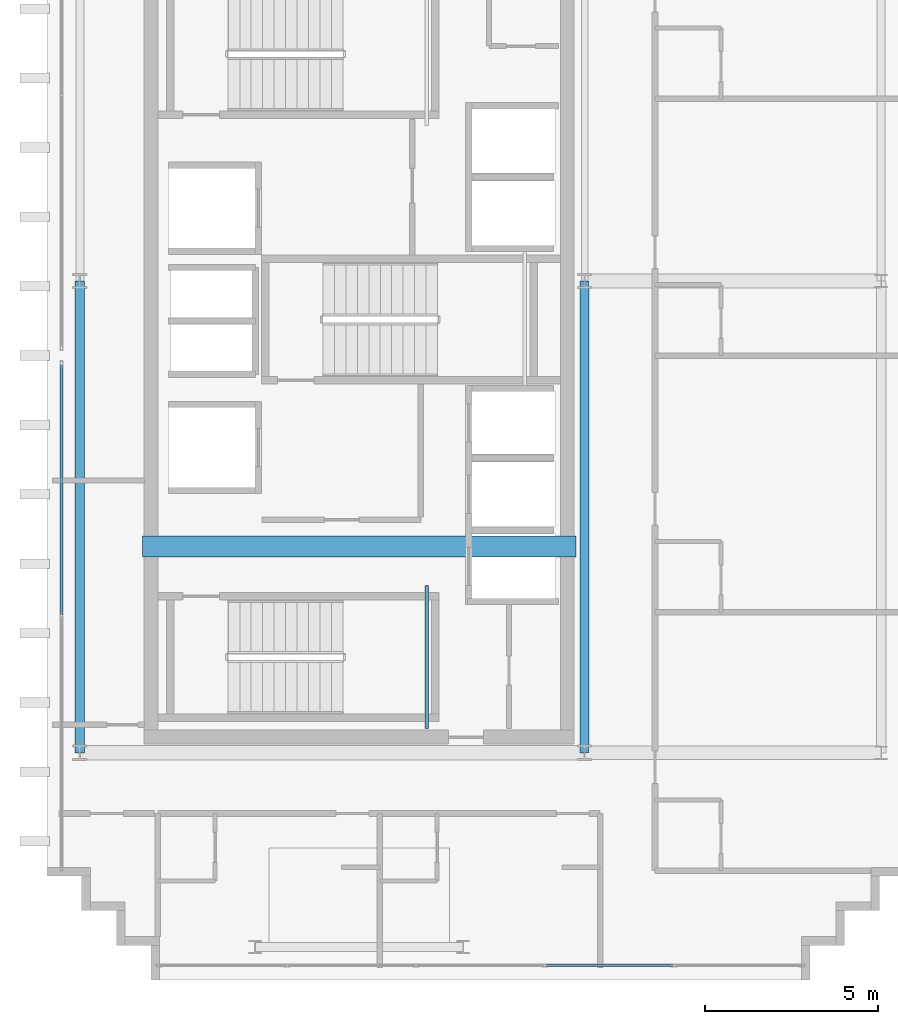
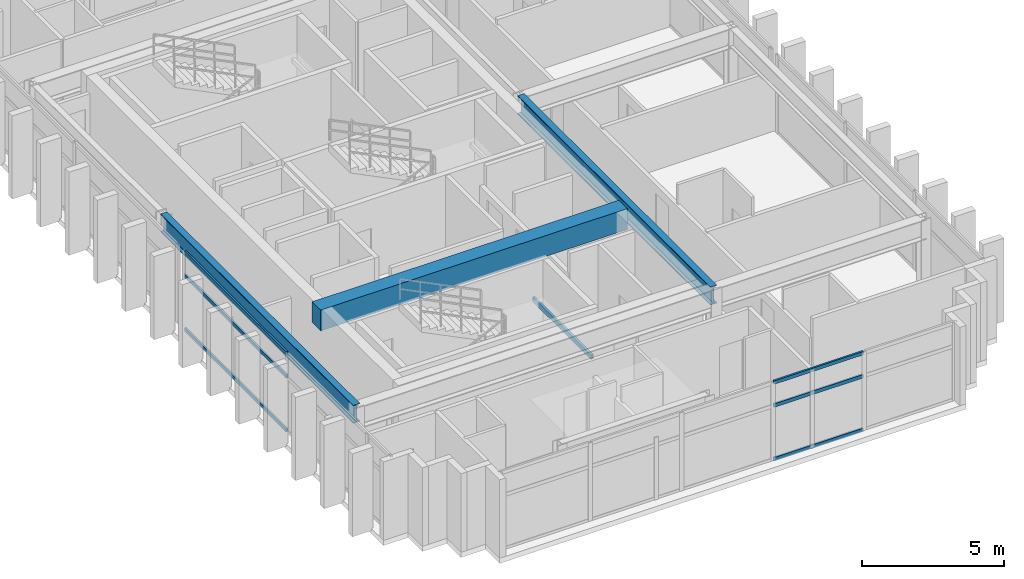
# One storey, part 3 of 15: 6 members, 4 beams, 2 elements without a shape of their own.
"""IFC4 building model written with IfcOpenShell, lengths in metres."""

from ifc_helpers import new_model, si_unit, direction, frame, origin, origin_2d, place, context, subcontext, project, spatial, rectangle, hollow_rectangle, i_section, extrude, source, transform, mapped, material, layer, layer_set, material_profile, profile_set, type_object, element, aggregate, save


model = new_model("IFC4")

# Units and contexts
model_context = context("Model", 3, precision=1e-05, world=origin(), true_north=direction((0.0, 1.0)))
body_context = subcontext(model_context, "Body", "Model", "MODEL_VIEW")
ifc_project = project(units=[si_unit("LENGTHUNIT", "METRE"), si_unit("AREAUNIT", "SQUARE_METRE"), si_unit("VOLUMEUNIT", "CUBIC_METRE"), si_unit("PLANEANGLEUNIT", "RADIAN"), si_unit("MASSUNIT", "GRAM", prefix="KILO")], contexts=[model_context])

# Site, building, storey
site_placement = place(None, origin())
site = spatial("IfcSite", under=ifc_project, at=site_placement, CompositionType="ELEMENT")
building_placement = place(site_placement, origin())
building = spatial("IfcBuilding", under=site, at=building_placement, Name="Ocotamira Hotel", CompositionType="ELEMENT")
storey_placement = place(building_placement, frame((0.0, 0.0, 286.800048828125)))
storey = spatial("IfcBuildingStorey", under=building, at=storey_placement, Name="L73", CompositionType="ELEMENT", Elevation=286.800048828125)

# Beams
ifc_material_1 = material(Name="Concrete C50/60", Category="concrete")
ifc_material_profile_1 = material_profile(ifc_material_1, rectangle(XDim=0.60009765625, YDim=0.89990234375, at=origin_2d()), Name="RC600X900")
ifc_profile_set_1 = profile_set([ifc_material_profile_1], Name="Concrete C50/60")
beam_type_1 = type_object("IfcBeamType", Name="BM-LINK-RC600", PredefinedType="LINTEL", material=ifc_profile_set_1)
shared_shape_1 = source(origin(), body_context, "Body", "SweptSolid", [
    extrude(rectangle(XDim=0.60009765625, YDim=0.89990234375, at=origin_2d()), origin(), (0.0, 0.0, 1.0), 12.5),
])
beam_1_placement = place(storey_placement, frame((10.75, 20.5, 2.929931640625), z_axis=(1.0, 0.0, 0.0), x_axis=(0.0, 1.0, 0.0)))
element("IfcBeam", 1, at=beam_1_placement, inside=storey, type_object=beam_type_1, Name="L73 West Core Coupling Beam", PredefinedType="LINTEL", context=body_context, shape_type="MappedRepresentation", body=[
    mapped(shared_shape_1, transform((0.0, 0.0, 0.0), scale=1.0)),
])
ifc_material_2 = material(Name="Steel ASTM A500 Grade C", Category="steel")
ifc_material_profile_2 = material_profile(ifc_material_2, hollow_rectangle(XDim=0.10009765625, YDim=0.199951171875, WallThickness=0.008056640625, at=origin_2d()), Name="HSS200X100X8")
ifc_profile_set_2 = profile_set([ifc_material_profile_2], Name="Steel ASTM A500 Grade C")
beam_type_2 = type_object("IfcBeamType", Name="BM-STLDG-HSS200", PredefinedType="BEAM", material=ifc_profile_set_2)
shared_shape_2 = source(origin(), body_context, "Body", "SweptSolid", [
    extrude(hollow_rectangle(XDim=0.10009765625, YDim=0.199951171875, WallThickness=0.008056640625, at=origin_2d()), origin(), (0.0, 0.0, 1.0), 4.1201171875),
])
beam_2_placement = place(storey_placement, frame((18.949951171875, 15.25, 1.5), z_axis=(0.0, 1.0, 0.0), x_axis=(-1.0, 0.0, 0.0)))
element("IfcBeam", 2, at=beam_2_placement, inside=storey, type_object=beam_type_2, Name="L73 Stair ST-1 Landing Bearer 1", PredefinedType="BEAM", context=body_context, shape_type="MappedRepresentation", body=[
    mapped(shared_shape_2, transform((0.0, 0.0, 0.0), scale=1.0)),
])
ifc_material_3 = material(Name="Steel ASTM A992 Grade 50", Category="steel")
ifc_material_profile_3 = material_profile(ifc_material_3, i_section(OverallWidth=0.26611328125, OverallDepth=0.779052734375, WebThickness=0.0166015625, FlangeThickness=0.030029296875, FilletRadius=0.01806640625, at=origin_2d()), Name="W30X148")
ifc_profile_set_3 = profile_set([ifc_material_profile_3], Name="Steel ASTM A992 Grade 50")
beam_type_3 = type_object("IfcBeamType", Name="BM-GIRD-W30X148", PredefinedType="BEAM", material=ifc_profile_set_3)
shared_shape_3 = source(origin(), body_context, "Body", "SweptSolid", [
    extrude(i_section(OverallWidth=0.26611328125, OverallDepth=0.779052734375, WebThickness=0.0166015625, FlangeThickness=0.030029296875, FilletRadius=0.01806640625, at=origin_2d()), origin(), (0.0, 0.0, 1.0), 13.599853515625),
])
for number, where, z_axis, x_axis, name in (
    (3, (8.949951171875, 14.550048828125, 2.990478515625), (0.0, 1.0, 0.0), (-1.0, 0.0, 0.0), "L73 Beam X8.95 Y14.55-28.15"),
    (4, (23.5, 14.550048828125, 2.990478515625), (0.0, 1.0, 0.0), (-1.0, 0.0, 0.0), "L73 Beam X23.5 Y14.55-28.15"),
):
    element("IfcBeam", number, at=place(storey_placement, frame(where, z_axis=z_axis, x_axis=x_axis)), inside=storey, type_object=beam_type_3, Name=name, PredefinedType="BEAM", context=body_context, shape_type="MappedRepresentation", body=[
        mapped(shared_shape_3, transform((0.0, 0.0, 0.0), scale=1.0)),
    ])

# Curtain wall, members
ifc_material_4 = material(Name="Anodised pale-metal aluminium and solar glass", Category="aluminium")
ifc_layer = layer(ifc_material_4, 0.2099609375)
ifc_layer_set = layer_set([ifc_layer], Name="Anodised pale-metal aluminium and solar glass")
curtain_wall_type = type_object("IfcCurtainWallType", Name="CW-SYS7-PEAK", PredefinedType="NOTDEFINED", material=ifc_layer_set)
curtain_wall_1_placement = place(storey_placement, origin())
curtain_wall_1 = element("IfcCurtainWall", 5, at=curtain_wall_1_placement, inside=storey, type_object=curtain_wall_type, Name="L73 Curtain Wall CW-7 CW-L73-W1", PredefinedType="NOTDEFINED")
ifc_material_5 = material(Name="Anodised pale-metal aluminium 6063-T6", Category="aluminium")
ifc_material_profile_4 = material_profile(ifc_material_5, hollow_rectangle(XDim=0.074951171875, YDim=0.14990234375, WallThickness=0.006103515625, at=origin_2d()), Name="HSS150X75X6")
ifc_profile_set_4 = profile_set([ifc_material_profile_4], Name="Anodised pale-metal aluminium 6063-T6")
member_type = type_object("IfcMemberType", Name="CWT-150X75", PredefinedType="USERDEFINED", material=ifc_profile_set_4)
shared_shape_4 = source(origin(), body_context, "Body", "SweptSolid", [
    extrude(hollow_rectangle(XDim=0.074951171875, YDim=0.14990234375, WallThickness=0.006103515625, at=origin_2d()), origin(), (0.0, 0.0, 1.0), 7.179931640625),
])
member_1_placement = place(storey_placement, frame((8.419921875, 18.5400390625, 0.037353515625), z_axis=(0.0, 1.0, 0.0), x_axis=(-1.0, 0.0, 0.0)))
member_1 = element("IfcMember", 6, at=member_1_placement, type_object=member_type, Name="CW-7 transom 2.1", ObjectType="TRANSOM", PredefinedType="USERDEFINED", context=body_context, shape_type="MappedRepresentation", body=[
    mapped(shared_shape_4, transform((0.0, 0.0, 0.0), scale=1.0)),
])
member_2_placement = place(storey_placement, frame((8.419921875, 18.5400390625, 2.349853515625), z_axis=(0.0, 1.0, 0.0), x_axis=(-1.0, 0.0, 0.0)))
member_2 = element("IfcMember", 7, at=member_2_placement, type_object=member_type, Name="CW-7 transom 2.2", ObjectType="TRANSOM", PredefinedType="USERDEFINED", context=body_context, shape_type="MappedRepresentation", body=[
    mapped(shared_shape_4, transform((0.0, 0.0, 0.0), scale=1.0)),
])
member_3_placement = place(storey_placement, frame((8.419921875, 18.5400390625, 3.342529296875), z_axis=(0.0, 1.0, 0.0), x_axis=(-1.0, 0.0, 0.0)))
member_3 = element("IfcMember", 8, at=member_3_placement, type_object=member_type, Name="CW-7 transom 2.3", ObjectType="TRANSOM", PredefinedType="USERDEFINED", context=body_context, shape_type="MappedRepresentation", body=[
    mapped(shared_shape_4, transform((0.0, 0.0, 0.0), scale=1.0)),
])
aggregate(curtain_wall_1, [member_1, member_2, member_3])

curtain_wall_2_placement = place(storey_placement, origin())
curtain_wall_2 = element("IfcCurtainWall", 9, at=curtain_wall_2_placement, inside=storey, type_object=curtain_wall_type, Name="L73 Curtain Wall CW-7 CW-L73-S1", PredefinedType="NOTDEFINED")
shared_shape_5 = source(origin(), body_context, "Body", "SweptSolid", [
    extrude(hollow_rectangle(XDim=0.074951171875, YDim=0.14990234375, WallThickness=0.006103515625, at=origin_2d()), origin(), (0.0, 0.0, 1.0), 3.64013671875),
])
member_4_placement = place(storey_placement, frame((22.39990234375, 8.419921875, 0.037353515625), z_axis=(1.0, 0.0, 0.0), x_axis=(0.0, 1.0, 0.0)))
member_4 = element("IfcMember", 10, at=member_4_placement, type_object=member_type, Name="CW-7 transom 4.1", ObjectType="TRANSOM", PredefinedType="USERDEFINED", context=body_context, shape_type="MappedRepresentation", body=[
    mapped(shared_shape_5, transform((0.0, 0.0, 0.0), scale=1.0)),
])
member_5_placement = place(storey_placement, frame((22.39990234375, 8.419921875, 2.349853515625), z_axis=(1.0, 0.0, 0.0), x_axis=(0.0, 1.0, 0.0)))
member_5 = element("IfcMember", 11, at=member_5_placement, type_object=member_type, Name="CW-7 transom 4.2", ObjectType="TRANSOM", PredefinedType="USERDEFINED", context=body_context, shape_type="MappedRepresentation", body=[
    mapped(shared_shape_5, transform((0.0, 0.0, 0.0), scale=1.0)),
])
member_6_placement = place(storey_placement, frame((22.39990234375, 8.419921875, 3.342529296875), z_axis=(1.0, 0.0, 0.0), x_axis=(0.0, 1.0, 0.0)))
member_6 = element("IfcMember", 12, at=member_6_placement, type_object=member_type, Name="CW-7 transom 4.3", ObjectType="TRANSOM", PredefinedType="USERDEFINED", context=body_context, shape_type="MappedRepresentation", body=[
    mapped(shared_shape_5, transform((0.0, 0.0, 0.0), scale=1.0)),
])
aggregate(curtain_wall_2, [member_4, member_5, member_6])

save(model, "model.ifc")
